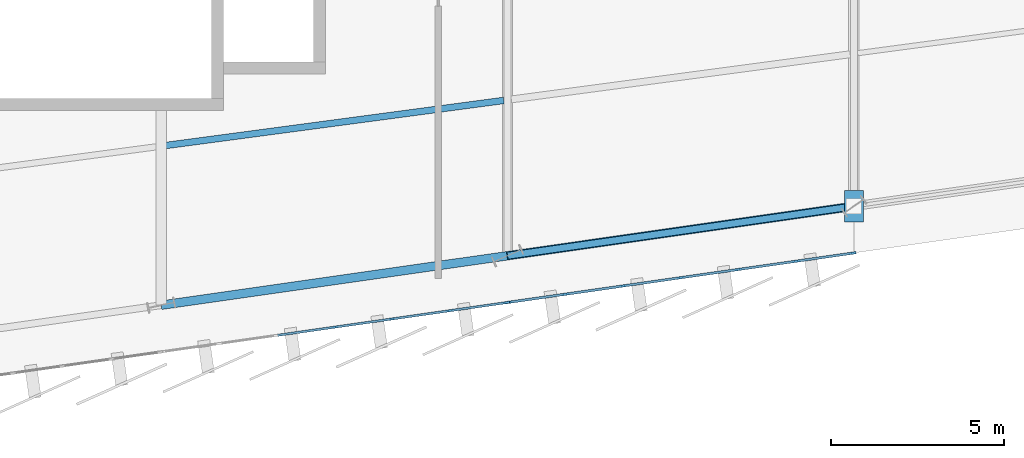
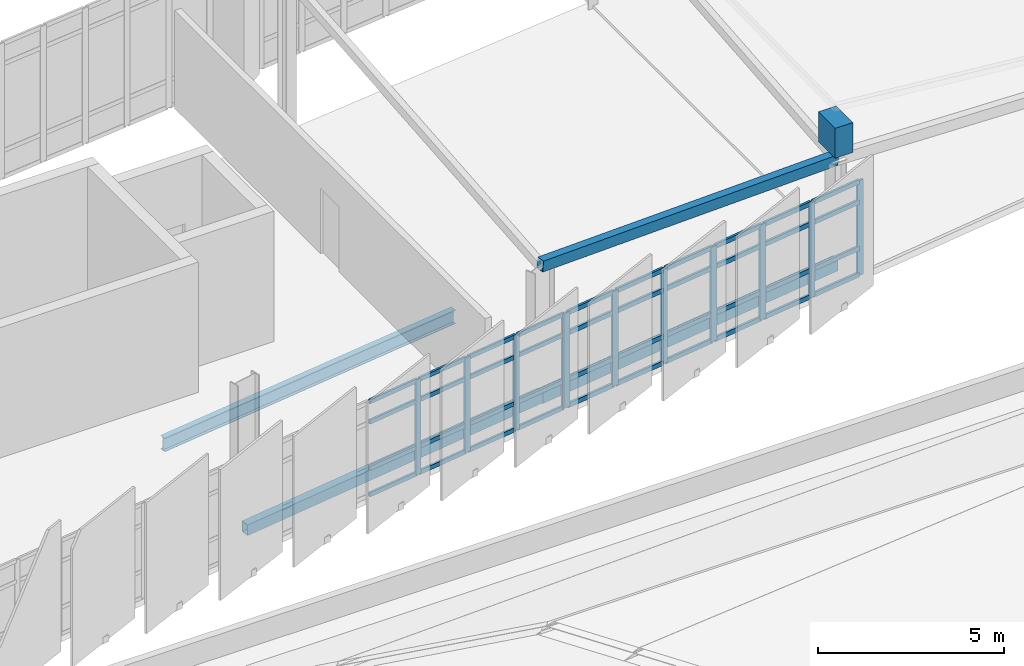
# One storey, part 22 of 67: 52 members, 4 beams, 2 elements without a shape of their own.
"""IFC4 building model written with IfcOpenShell, lengths in metres."""

from ifc_helpers import new_model, si_unit, direction, frame, origin, origin_2d, place, context, subcontext, project, spatial, rectangle, hollow_rectangle, i_section, extrude, material, layer, layer_set, material_profile, profile_set, type_object, element, aggregate, save


model = new_model("IFC4")

# Units and contexts
model_context = context("Model", 3, precision=1e-05, world=origin(), true_north=direction((0.0, 1.0)))
body_context = subcontext(model_context, "Body", "Model", "MODEL_VIEW")
ifc_project = project(units=[si_unit("LENGTHUNIT", "METRE"), si_unit("AREAUNIT", "SQUARE_METRE"), si_unit("VOLUMEUNIT", "CUBIC_METRE"), si_unit("PLANEANGLEUNIT", "RADIAN"), si_unit("MASSUNIT", "GRAM", prefix="KILO")], contexts=[model_context])

# Site, building, storey
site_placement = place(None, origin())
site = spatial("IfcSite", under=ifc_project, at=site_placement, CompositionType="ELEMENT")
building_placement = place(site_placement, origin())
building = spatial("IfcBuilding", under=site, at=building_placement, Name="Sohan Crest Arena", CompositionType="ELEMENT")
storey_placement = place(building_placement, frame((0.0, 0.0, 22.5)))
storey = spatial("IfcBuildingStorey", under=building, at=storey_placement, Name="L05", CompositionType="ELEMENT", Elevation=22.5)

# Curtain wall, members
ifc_material_1 = material(Name="Thermally broken anodised aluminium", Category="aluminium")
ifc_layer_1 = layer(ifc_material_1, 0.199951171875, Name="Thermally broken anodised aluminium")
ifc_layer_set_1 = layer_set([ifc_layer_1], Name="Thermally broken anodised aluminium")
curtain_wall_type_1 = type_object("IfcCurtainWallType", Name="ARC-CW02", PredefinedType="NOTDEFINED", material=ifc_layer_set_1)
curtain_wall_1_placement = place(storey_placement, origin())
curtain_wall_1 = element("IfcCurtainWall", 1, at=curtain_wall_1_placement, inside=storey, type_object=curtain_wall_type_1, Name="Unitised curtain wall CW-159", PredefinedType="NOTDEFINED")
ifc_material_profile_1 = material_profile(ifc_material_1, rectangle(XDim=0.06494140625, YDim=0.179931640625, at=origin_2d()), Name="ALU-MULL 65x180")
ifc_profile_set_1 = profile_set([ifc_material_profile_1], Name="Thermally broken anodised aluminium")
member_type_1 = type_object("IfcMemberType", Name="ARC-CW-ML02", PredefinedType="MULLION", material=ifc_profile_set_1)
member_1_placement = place(storey_placement, frame((113.0, 30.79296875, 0.0), z_axis=(0.0, 0.0, 1.0), x_axis=(-0.141365918403, 0.989957411768, 0.0)))
member_1 = element("IfcMember", 2, at=member_1_placement, type_object=member_type_1, Name="CW-159 mullion 4", PredefinedType="MULLION", context=body_context, shape_type="SweptSolid", body=[
    extrude(rectangle(XDim=0.06494140625, YDim=0.179931640625, at=origin_2d()), origin(), (0.0, 0.0, 1.0), 3.1201171875),
])
member_2_placement = place(storey_placement, frame((114.666748046875, 31.031005859375, 0.0), z_axis=(0.0, 0.0, 1.0), x_axis=(-0.141365918403, 0.989957411768, 0.0)))
member_2 = element("IfcMember", 3, at=member_2_placement, type_object=member_type_1, Name="CW-159 mullion 5", PredefinedType="MULLION", context=body_context, shape_type="SweptSolid", body=[
    extrude(rectangle(XDim=0.06494140625, YDim=0.179931640625, at=origin_2d()), origin(), (0.0, 0.0, 1.0), 3.1201171875),
])
member_3_placement = place(storey_placement, frame((116.333251953125, 31.26904296875, 0.0), z_axis=(0.0, 0.0, 1.0), x_axis=(-0.141365918403, 0.989957411768, 0.0)))
member_3 = element("IfcMember", 4, at=member_3_placement, type_object=member_type_1, Name="CW-159 mullion 6", PredefinedType="MULLION", context=body_context, shape_type="SweptSolid", body=[
    extrude(rectangle(XDim=0.06494140625, YDim=0.179931640625, at=origin_2d()), origin(), (0.0, 0.0, 1.0), 3.1201171875),
])
member_4_placement = place(storey_placement, frame((117.9677734375, 31.50244140625, 0.0), z_axis=(0.0, 0.0, 1.0), x_axis=(-0.141365918403, 0.989957411768, 0.0)))
member_4 = element("IfcMember", 5, at=member_4_placement, type_object=member_type_1, Name="CW-159 mullion 7", PredefinedType="MULLION", context=body_context, shape_type="SweptSolid", body=[
    extrude(rectangle(XDim=0.06494140625, YDim=0.179931640625, at=origin_2d()), origin(), (0.0, 0.0, 1.0), 3.1201171875),
])

ifc_layer_2 = layer(ifc_material_1, 0.219970703125, Name="Thermally broken anodised aluminium")
ifc_layer_set_2 = layer_set([ifc_layer_2], Name="Thermally broken anodised aluminium")
curtain_wall_type_2 = type_object("IfcCurtainWallType", Name="ARC-CW03", PredefinedType="NOTDEFINED", material=ifc_layer_set_2)
curtain_wall_2_placement = place(storey_placement, origin())
curtain_wall_2 = element("IfcCurtainWall", 6, at=curtain_wall_2_placement, inside=storey, type_object=curtain_wall_type_2, Name="Unitised curtain wall CW-160", PredefinedType="NOTDEFINED")
ifc_material_profile_2 = material_profile(ifc_material_1, rectangle(XDim=0.070068359375, YDim=0.199951171875, at=origin_2d()), Name="ALU-MULL 70x200")
ifc_profile_set_2 = profile_set([ifc_material_profile_2], Name="Thermally broken anodised aluminium")
member_type_2 = type_object("IfcMemberType", Name="ARC-CW-ML03", PredefinedType="MULLION", material=ifc_profile_set_2)
member_5_placement = place(storey_placement, frame((118.03466796875, 31.511962890625, 0.0), z_axis=(0.0, 0.0, 1.0), x_axis=(-0.141462933734, 0.989943553128, 0.0)))
member_5 = element("IfcMember", 7, at=member_5_placement, type_object=member_type_2, Name="CW-160 mullion 1", PredefinedType="MULLION", context=body_context, shape_type="SweptSolid", body=[
    extrude(rectangle(XDim=0.070068359375, YDim=0.199951171875, at=origin_2d()), origin(), (0.0, 0.0, 1.0), 3.1201171875),
])
member_6_placement = place(storey_placement, frame((119.666748046875, 31.7451171875, 0.0), z_axis=(0.0, 0.0, 1.0), x_axis=(-0.141462933734, 0.989943553128, 0.0)))
member_6 = element("IfcMember", 8, at=member_6_placement, type_object=member_type_2, Name="CW-160 mullion 2", PredefinedType="MULLION", context=body_context, shape_type="SweptSolid", body=[
    extrude(rectangle(XDim=0.070068359375, YDim=0.199951171875, at=origin_2d()), origin(), (0.0, 0.0, 1.0), 3.1201171875),
])
member_7_placement = place(storey_placement, frame((121.333251953125, 31.9833984375, 0.0), z_axis=(0.0, 0.0, 1.0), x_axis=(-0.141462933734, 0.989943553128, 0.0)))
member_7 = element("IfcMember", 9, at=member_7_placement, type_object=member_type_2, Name="CW-160 mullion 3", PredefinedType="MULLION", context=body_context, shape_type="SweptSolid", body=[
    extrude(rectangle(XDim=0.070068359375, YDim=0.199951171875, at=origin_2d()), origin(), (0.0, 0.0, 1.0), 3.1201171875),
])
member_8_placement = place(storey_placement, frame((123.0, 32.221435546875, 0.0), z_axis=(0.0, 0.0, 1.0), x_axis=(-0.141462933734, 0.989943553128, 0.0)))
member_8 = element("IfcMember", 10, at=member_8_placement, type_object=member_type_2, Name="CW-160 mullion 4", PredefinedType="MULLION", context=body_context, shape_type="SweptSolid", body=[
    extrude(rectangle(XDim=0.070068359375, YDim=0.199951171875, at=origin_2d()), origin(), (0.0, 0.0, 1.0), 3.1201171875),
])
member_9_placement = place(storey_placement, frame((124.666748046875, 32.459716796875, 0.0), z_axis=(0.0, 0.0, 1.0), x_axis=(-0.141462933734, 0.989943553128, 0.0)))
member_9 = element("IfcMember", 11, at=member_9_placement, type_object=member_type_2, Name="CW-160 mullion 5", PredefinedType="MULLION", context=body_context, shape_type="SweptSolid", body=[
    extrude(rectangle(XDim=0.070068359375, YDim=0.199951171875, at=origin_2d()), origin(), (0.0, 0.0, 1.0), 3.1201171875),
])
member_10_placement = place(storey_placement, frame((126.333251953125, 32.69775390625, 0.0), z_axis=(0.0, 0.0, 1.0), x_axis=(-0.141462933734, 0.989943553128, 0.0)))
member_10 = element("IfcMember", 12, at=member_10_placement, type_object=member_type_2, Name="CW-160 mullion 6", PredefinedType="MULLION", context=body_context, shape_type="SweptSolid", body=[
    extrude(rectangle(XDim=0.070068359375, YDim=0.199951171875, at=origin_2d()), origin(), (0.0, 0.0, 1.0), 3.1201171875),
])
member_11_placement = place(storey_placement, frame((127.96533203125, 32.93115234375, 0.0), z_axis=(0.0, 0.0, 1.0), x_axis=(-0.141462933734, 0.989943553128, 0.0)))
member_11 = element("IfcMember", 13, at=member_11_placement, type_object=member_type_2, Name="CW-160 mullion 7", PredefinedType="MULLION", context=body_context, shape_type="SweptSolid", body=[
    extrude(rectangle(XDim=0.070068359375, YDim=0.199951171875, at=origin_2d()), origin(), (0.0, 0.0, 1.0), 3.1201171875),
])

# Member
ifc_material_profile_3 = material_profile(ifc_material_1, rectangle(XDim=0.06494140625, YDim=0.139892578125, at=origin_2d()), Name="ALU-TRAN 65x140")
ifc_profile_set_3 = profile_set([ifc_material_profile_3], Name="Thermally broken anodised aluminium")
member_type_3 = type_object("IfcMemberType", Name="ARC-CW-TR02", PredefinedType="USERDEFINED", material=ifc_profile_set_3)
member_12_placement = place(storey_placement, frame((111.365478515625, 30.5595703125, 0.032470703125), z_axis=(0.989961557241, 0.141336885439, 0.0), x_axis=(-0.141336885439, 0.989961557241, 0.0)))
member_12 = element("IfcMember", 14, at=member_12_placement, type_object=member_type_3, Name="CW-159 transom 3.1", ObjectType="TRANSOM", PredefinedType="USERDEFINED", context=body_context, shape_type="SweptSolid", body=[
    extrude(rectangle(XDim=0.06494140625, YDim=0.139892578125, at=origin_2d()), origin(), (0.0, 0.0, 1.0), 1.61865234375),
])

member_13_placement = place(storey_placement, frame((111.365478515625, 30.5595703125, 0.89990234375), z_axis=(0.989961557241, 0.141336885439, 0.0), x_axis=(-0.141336885439, 0.989961557241, 0.0)))
member_13 = element("IfcMember", 15, at=member_13_placement, type_object=member_type_3, Name="CW-159 transom 3.2", ObjectType="TRANSOM", PredefinedType="USERDEFINED", context=body_context, shape_type="SweptSolid", body=[
    extrude(rectangle(XDim=0.06494140625, YDim=0.139892578125, at=origin_2d()), origin(), (0.0, 0.0, 1.0), 1.61865234375),
])

member_14_placement = place(storey_placement, frame((111.365478515625, 30.5595703125, 2.419921875), z_axis=(0.989961557241, 0.141336885439, 0.0), x_axis=(-0.141336885439, 0.989961557241, 0.0)))
member_14 = element("IfcMember", 16, at=member_14_placement, type_object=member_type_3, Name="CW-159 transom 3.3", ObjectType="TRANSOM", PredefinedType="USERDEFINED", context=body_context, shape_type="SweptSolid", body=[
    extrude(rectangle(XDim=0.06494140625, YDim=0.139892578125, at=origin_2d()), origin(), (0.0, 0.0, 1.0), 1.61865234375),
])

member_15_placement = place(storey_placement, frame((111.365478515625, 30.5595703125, 3.08740234375), z_axis=(0.989961557241, 0.141336885439, 0.0), x_axis=(-0.141336885439, 0.989961557241, 0.0)))
member_15 = element("IfcMember", 17, at=member_15_placement, type_object=member_type_3, Name="CW-159 transom 3.4", ObjectType="TRANSOM", PredefinedType="USERDEFINED", context=body_context, shape_type="SweptSolid", body=[
    extrude(rectangle(XDim=0.06494140625, YDim=0.139892578125, at=origin_2d()), origin(), (0.0, 0.0, 1.0), 1.61865234375),
])

member_16_placement = place(storey_placement, frame((113.0322265625, 30.797607421875, 0.032470703125), z_axis=(0.989961557241, 0.141336885439, 0.0), x_axis=(-0.141336885439, 0.989961557241, 0.0)))
member_16 = element("IfcMember", 18, at=member_16_placement, type_object=member_type_3, Name="CW-159 transom 4.1", ObjectType="TRANSOM", PredefinedType="USERDEFINED", context=body_context, shape_type="SweptSolid", body=[
    extrude(rectangle(XDim=0.06494140625, YDim=0.139892578125, at=origin_2d()), origin(), (0.0, 0.0, 1.0), 1.61865234375),
])

member_17_placement = place(storey_placement, frame((113.0322265625, 30.797607421875, 0.89990234375), z_axis=(0.989961557241, 0.141336885439, 0.0), x_axis=(-0.141336885439, 0.989961557241, 0.0)))
member_17 = element("IfcMember", 19, at=member_17_placement, type_object=member_type_3, Name="CW-159 transom 4.2", ObjectType="TRANSOM", PredefinedType="USERDEFINED", context=body_context, shape_type="SweptSolid", body=[
    extrude(rectangle(XDim=0.06494140625, YDim=0.139892578125, at=origin_2d()), origin(), (0.0, 0.0, 1.0), 1.61865234375),
])

member_18_placement = place(storey_placement, frame((113.0322265625, 30.797607421875, 2.419921875), z_axis=(0.989961557241, 0.141336885439, 0.0), x_axis=(-0.141336885439, 0.989961557241, 0.0)))
member_18 = element("IfcMember", 20, at=member_18_placement, type_object=member_type_3, Name="CW-159 transom 4.3", ObjectType="TRANSOM", PredefinedType="USERDEFINED", context=body_context, shape_type="SweptSolid", body=[
    extrude(rectangle(XDim=0.06494140625, YDim=0.139892578125, at=origin_2d()), origin(), (0.0, 0.0, 1.0), 1.61865234375),
])

member_19_placement = place(storey_placement, frame((113.0322265625, 30.797607421875, 3.08740234375), z_axis=(0.989961557241, 0.141336885439, 0.0), x_axis=(-0.141336885439, 0.989961557241, 0.0)))
member_19 = element("IfcMember", 21, at=member_19_placement, type_object=member_type_3, Name="CW-159 transom 4.4", ObjectType="TRANSOM", PredefinedType="USERDEFINED", context=body_context, shape_type="SweptSolid", body=[
    extrude(rectangle(XDim=0.06494140625, YDim=0.139892578125, at=origin_2d()), origin(), (0.0, 0.0, 1.0), 1.61865234375),
])

member_20_placement = place(storey_placement, frame((114.69873046875, 31.03564453125, 0.032470703125), z_axis=(0.989964569759, 0.141315783343, 0.0), x_axis=(-0.141315783343, 0.989964569759, 0.0)))
member_20 = element("IfcMember", 22, at=member_20_placement, type_object=member_type_3, Name="CW-159 transom 5.1", ObjectType="TRANSOM", PredefinedType="USERDEFINED", context=body_context, shape_type="SweptSolid", body=[
    extrude(rectangle(XDim=0.06494140625, YDim=0.139892578125, at=origin_2d()), origin(), (0.0, 0.0, 1.0), 1.618896484375),
])

member_21_placement = place(storey_placement, frame((114.69873046875, 31.03564453125, 0.89990234375), z_axis=(0.989964569759, 0.141315783343, 0.0), x_axis=(-0.141315783343, 0.989964569759, 0.0)))
member_21 = element("IfcMember", 23, at=member_21_placement, type_object=member_type_3, Name="CW-159 transom 5.2", ObjectType="TRANSOM", PredefinedType="USERDEFINED", context=body_context, shape_type="SweptSolid", body=[
    extrude(rectangle(XDim=0.06494140625, YDim=0.139892578125, at=origin_2d()), origin(), (0.0, 0.0, 1.0), 1.618896484375),
])

member_22_placement = place(storey_placement, frame((114.69873046875, 31.03564453125, 2.419921875), z_axis=(0.989964569759, 0.141315783343, 0.0), x_axis=(-0.141315783343, 0.989964569759, 0.0)))
member_22 = element("IfcMember", 24, at=member_22_placement, type_object=member_type_3, Name="CW-159 transom 5.3", ObjectType="TRANSOM", PredefinedType="USERDEFINED", context=body_context, shape_type="SweptSolid", body=[
    extrude(rectangle(XDim=0.06494140625, YDim=0.139892578125, at=origin_2d()), origin(), (0.0, 0.0, 1.0), 1.618896484375),
])

member_23_placement = place(storey_placement, frame((114.69873046875, 31.03564453125, 3.08740234375), z_axis=(0.989964569759, 0.141315783343, 0.0), x_axis=(-0.141315783343, 0.989964569759, 0.0)))
member_23 = element("IfcMember", 25, at=member_23_placement, type_object=member_type_3, Name="CW-159 transom 5.4", ObjectType="TRANSOM", PredefinedType="USERDEFINED", context=body_context, shape_type="SweptSolid", body=[
    extrude(rectangle(XDim=0.06494140625, YDim=0.139892578125, at=origin_2d()), origin(), (0.0, 0.0, 1.0), 1.618896484375),
])

member_24_placement = place(storey_placement, frame((116.365478515625, 31.273681640625, 0.032470703125), z_axis=(0.989964881435, 0.141313599931, 0.0), x_axis=(-0.141313599931, 0.989964881435, 0.0)))
member_24 = element("IfcMember", 26, at=member_24_placement, type_object=member_type_3, Name="CW-159 transom 6.1", ObjectType="TRANSOM", PredefinedType="USERDEFINED", context=body_context, shape_type="SweptSolid", body=[
    extrude(rectangle(XDim=0.06494140625, YDim=0.139892578125, at=origin_2d()), origin(), (0.0, 0.0, 1.0), 1.5859375),
])

member_25_placement = place(storey_placement, frame((116.365478515625, 31.273681640625, 0.89990234375), z_axis=(0.989964881435, 0.141313599931, 0.0), x_axis=(-0.141313599931, 0.989964881435, 0.0)))
member_25 = element("IfcMember", 27, at=member_25_placement, type_object=member_type_3, Name="CW-159 transom 6.2", ObjectType="TRANSOM", PredefinedType="USERDEFINED", context=body_context, shape_type="SweptSolid", body=[
    extrude(rectangle(XDim=0.06494140625, YDim=0.139892578125, at=origin_2d()), origin(), (0.0, 0.0, 1.0), 1.5859375),
])

member_26_placement = place(storey_placement, frame((116.365478515625, 31.273681640625, 2.419921875), z_axis=(0.989964881435, 0.141313599931, 0.0), x_axis=(-0.141313599931, 0.989964881435, 0.0)))
member_26 = element("IfcMember", 28, at=member_26_placement, type_object=member_type_3, Name="CW-159 transom 6.3", ObjectType="TRANSOM", PredefinedType="USERDEFINED", context=body_context, shape_type="SweptSolid", body=[
    extrude(rectangle(XDim=0.06494140625, YDim=0.139892578125, at=origin_2d()), origin(), (0.0, 0.0, 1.0), 1.5859375),
])

member_27_placement = place(storey_placement, frame((116.365478515625, 31.273681640625, 3.08740234375), z_axis=(0.989964881435, 0.141313599931, 0.0), x_axis=(-0.141313599931, 0.989964881435, 0.0)))
member_27 = element("IfcMember", 29, at=member_27_placement, type_object=member_type_3, Name="CW-159 transom 6.4", ObjectType="TRANSOM", PredefinedType="USERDEFINED", context=body_context, shape_type="SweptSolid", body=[
    extrude(rectangle(XDim=0.06494140625, YDim=0.139892578125, at=origin_2d()), origin(), (0.0, 0.0, 1.0), 1.5859375),
])

aggregate(curtain_wall_1, [member_1, member_2, member_3, member_4, member_12, member_13, member_14, member_15, member_16, member_17, member_18, member_19, member_20, member_21, member_22, member_23, member_24, member_25, member_26, member_27])

ifc_material_profile_4 = material_profile(ifc_material_1, rectangle(XDim=0.070068359375, YDim=0.14990234375, at=origin_2d()), Name="ALU-TRAN 70x150")
ifc_profile_set_4 = profile_set([ifc_material_profile_4], Name="Thermally broken anodised aluminium")
member_type_4 = type_object("IfcMemberType", Name="ARC-CW-TR03", PredefinedType="USERDEFINED", material=ifc_profile_set_4)
member_28_placement = place(storey_placement, frame((118.0693359375, 31.516845703125, 0.034912109375), z_axis=(0.989937117592, 0.141507961662, 0.0), x_axis=(-0.141507961662, 0.989937117592, 0.0)))
member_28 = element("IfcMember", 30, at=member_28_placement, type_object=member_type_4, Name="CW-160 transom 1.1", ObjectType="TRANSOM", PredefinedType="USERDEFINED", context=body_context, shape_type="SweptSolid", body=[
    extrude(rectangle(XDim=0.070068359375, YDim=0.14990234375, at=origin_2d()), origin(), (0.0, 0.0, 1.0), 1.57861328125),
])

member_29_placement = place(storey_placement, frame((118.0693359375, 31.516845703125, 0.89990234375), z_axis=(0.989937117592, 0.141507961662, 0.0), x_axis=(-0.141507961662, 0.989937117592, 0.0)))
member_29 = element("IfcMember", 31, at=member_29_placement, type_object=member_type_4, Name="CW-160 transom 1.2", ObjectType="TRANSOM", PredefinedType="USERDEFINED", context=body_context, shape_type="SweptSolid", body=[
    extrude(rectangle(XDim=0.070068359375, YDim=0.14990234375, at=origin_2d()), origin(), (0.0, 0.0, 1.0), 1.57861328125),
])

member_30_placement = place(storey_placement, frame((118.0693359375, 31.516845703125, 2.419921875), z_axis=(0.989937117592, 0.141507961662, 0.0), x_axis=(-0.141507961662, 0.989937117592, 0.0)))
member_30 = element("IfcMember", 32, at=member_30_placement, type_object=member_type_4, Name="CW-160 transom 1.3", ObjectType="TRANSOM", PredefinedType="USERDEFINED", context=body_context, shape_type="SweptSolid", body=[
    extrude(rectangle(XDim=0.070068359375, YDim=0.14990234375, at=origin_2d()), origin(), (0.0, 0.0, 1.0), 1.57861328125),
])

member_31_placement = place(storey_placement, frame((118.0693359375, 31.516845703125, 3.0849609375), z_axis=(0.989937117592, 0.141507961662, 0.0), x_axis=(-0.141507961662, 0.989937117592, 0.0)))
member_31 = element("IfcMember", 33, at=member_31_placement, type_object=member_type_4, Name="CW-160 transom 1.4", ObjectType="TRANSOM", PredefinedType="USERDEFINED", context=body_context, shape_type="SweptSolid", body=[
    extrude(rectangle(XDim=0.070068359375, YDim=0.14990234375, at=origin_2d()), origin(), (0.0, 0.0, 1.0), 1.57861328125),
])

member_32_placement = place(storey_placement, frame((119.701416015625, 31.75, 0.034912109375), z_axis=(0.989940412375, 0.141484910665, 0.0), x_axis=(-0.141484910665, 0.989940412375, 0.0)))
member_32 = element("IfcMember", 34, at=member_32_placement, type_object=member_type_4, Name="CW-160 transom 2.1", ObjectType="TRANSOM", PredefinedType="USERDEFINED", context=body_context, shape_type="SweptSolid", body=[
    extrude(rectangle(XDim=0.070068359375, YDim=0.14990234375, at=origin_2d()), origin(), (0.0, 0.0, 1.0), 1.61328125),
])

member_33_placement = place(storey_placement, frame((119.701416015625, 31.75, 0.89990234375), z_axis=(0.989940412375, 0.141484910665, 0.0), x_axis=(-0.141484910665, 0.989940412375, 0.0)))
member_33 = element("IfcMember", 35, at=member_33_placement, type_object=member_type_4, Name="CW-160 transom 2.2", ObjectType="TRANSOM", PredefinedType="USERDEFINED", context=body_context, shape_type="SweptSolid", body=[
    extrude(rectangle(XDim=0.070068359375, YDim=0.14990234375, at=origin_2d()), origin(), (0.0, 0.0, 1.0), 1.61328125),
])

member_34_placement = place(storey_placement, frame((119.701416015625, 31.75, 2.419921875), z_axis=(0.989940412375, 0.141484910665, 0.0), x_axis=(-0.141484910665, 0.989940412375, 0.0)))
member_34 = element("IfcMember", 36, at=member_34_placement, type_object=member_type_4, Name="CW-160 transom 2.3", ObjectType="TRANSOM", PredefinedType="USERDEFINED", context=body_context, shape_type="SweptSolid", body=[
    extrude(rectangle(XDim=0.070068359375, YDim=0.14990234375, at=origin_2d()), origin(), (0.0, 0.0, 1.0), 1.61328125),
])

member_35_placement = place(storey_placement, frame((119.701416015625, 31.75, 3.0849609375), z_axis=(0.989940412375, 0.141484910665, 0.0), x_axis=(-0.141484910665, 0.989940412375, 0.0)))
member_35 = element("IfcMember", 37, at=member_35_placement, type_object=member_type_4, Name="CW-160 transom 2.4", ObjectType="TRANSOM", PredefinedType="USERDEFINED", context=body_context, shape_type="SweptSolid", body=[
    extrude(rectangle(XDim=0.070068359375, YDim=0.14990234375, at=origin_2d()), origin(), (0.0, 0.0, 1.0), 1.61328125),
])

member_36_placement = place(storey_placement, frame((121.367919921875, 31.98828125, 0.034912109375), z_axis=(0.989943440831, 0.141463719575, 0.0), x_axis=(-0.141463719575, 0.989943440831, 0.0)))
member_36 = element("IfcMember", 38, at=member_36_placement, type_object=member_type_4, Name="CW-160 transom 3.1", ObjectType="TRANSOM", PredefinedType="USERDEFINED", context=body_context, shape_type="SweptSolid", body=[
    extrude(rectangle(XDim=0.070068359375, YDim=0.14990234375, at=origin_2d()), origin(), (0.0, 0.0, 1.0), 1.613525390625),
])

member_37_placement = place(storey_placement, frame((121.367919921875, 31.98828125, 0.89990234375), z_axis=(0.989943440831, 0.141463719575, 0.0), x_axis=(-0.141463719575, 0.989943440831, 0.0)))
member_37 = element("IfcMember", 39, at=member_37_placement, type_object=member_type_4, Name="CW-160 transom 3.2", ObjectType="TRANSOM", PredefinedType="USERDEFINED", context=body_context, shape_type="SweptSolid", body=[
    extrude(rectangle(XDim=0.070068359375, YDim=0.14990234375, at=origin_2d()), origin(), (0.0, 0.0, 1.0), 1.613525390625),
])

member_38_placement = place(storey_placement, frame((121.367919921875, 31.98828125, 2.419921875), z_axis=(0.989943440831, 0.141463719575, 0.0), x_axis=(-0.141463719575, 0.989943440831, 0.0)))
member_38 = element("IfcMember", 40, at=member_38_placement, type_object=member_type_4, Name="CW-160 transom 3.3", ObjectType="TRANSOM", PredefinedType="USERDEFINED", context=body_context, shape_type="SweptSolid", body=[
    extrude(rectangle(XDim=0.070068359375, YDim=0.14990234375, at=origin_2d()), origin(), (0.0, 0.0, 1.0), 1.613525390625),
])

member_39_placement = place(storey_placement, frame((121.367919921875, 31.98828125, 3.0849609375), z_axis=(0.989943440831, 0.141463719575, 0.0), x_axis=(-0.141463719575, 0.989943440831, 0.0)))
member_39 = element("IfcMember", 41, at=member_39_placement, type_object=member_type_4, Name="CW-160 transom 3.4", ObjectType="TRANSOM", PredefinedType="USERDEFINED", context=body_context, shape_type="SweptSolid", body=[
    extrude(rectangle(XDim=0.070068359375, YDim=0.14990234375, at=origin_2d()), origin(), (0.0, 0.0, 1.0), 1.613525390625),
])

member_40_placement = place(storey_placement, frame((123.03466796875, 32.2265625, 0.034912109375), z_axis=(0.989943440831, 0.141463719575, 0.0), x_axis=(-0.141463719575, 0.989943440831, 0.0)))
member_40 = element("IfcMember", 42, at=member_40_placement, type_object=member_type_4, Name="CW-160 transom 4.1", ObjectType="TRANSOM", PredefinedType="USERDEFINED", context=body_context, shape_type="SweptSolid", body=[
    extrude(rectangle(XDim=0.070068359375, YDim=0.14990234375, at=origin_2d()), origin(), (0.0, 0.0, 1.0), 1.613525390625),
])

member_41_placement = place(storey_placement, frame((123.03466796875, 32.2265625, 0.89990234375), z_axis=(0.989943440831, 0.141463719575, 0.0), x_axis=(-0.141463719575, 0.989943440831, 0.0)))
member_41 = element("IfcMember", 43, at=member_41_placement, type_object=member_type_4, Name="CW-160 transom 4.2", ObjectType="TRANSOM", PredefinedType="USERDEFINED", context=body_context, shape_type="SweptSolid", body=[
    extrude(rectangle(XDim=0.070068359375, YDim=0.14990234375, at=origin_2d()), origin(), (0.0, 0.0, 1.0), 1.613525390625),
])

member_42_placement = place(storey_placement, frame((123.03466796875, 32.2265625, 2.419921875), z_axis=(0.989943440831, 0.141463719575, 0.0), x_axis=(-0.141463719575, 0.989943440831, 0.0)))
member_42 = element("IfcMember", 44, at=member_42_placement, type_object=member_type_4, Name="CW-160 transom 4.3", ObjectType="TRANSOM", PredefinedType="USERDEFINED", context=body_context, shape_type="SweptSolid", body=[
    extrude(rectangle(XDim=0.070068359375, YDim=0.14990234375, at=origin_2d()), origin(), (0.0, 0.0, 1.0), 1.613525390625),
])

member_43_placement = place(storey_placement, frame((123.03466796875, 32.2265625, 3.0849609375), z_axis=(0.989943440831, 0.141463719575, 0.0), x_axis=(-0.141463719575, 0.989943440831, 0.0)))
member_43 = element("IfcMember", 45, at=member_43_placement, type_object=member_type_4, Name="CW-160 transom 4.4", ObjectType="TRANSOM", PredefinedType="USERDEFINED", context=body_context, shape_type="SweptSolid", body=[
    extrude(rectangle(XDim=0.070068359375, YDim=0.14990234375, at=origin_2d()), origin(), (0.0, 0.0, 1.0), 1.613525390625),
])

member_44_placement = place(storey_placement, frame((124.701416015625, 32.464599609375, 0.034912109375), z_axis=(0.989940412375, 0.141484910665, 0.0), x_axis=(-0.141484910665, 0.989940412375, 0.0)))
member_44 = element("IfcMember", 46, at=member_44_placement, type_object=member_type_4, Name="CW-160 transom 5.1", ObjectType="TRANSOM", PredefinedType="USERDEFINED", context=body_context, shape_type="SweptSolid", body=[
    extrude(rectangle(XDim=0.070068359375, YDim=0.14990234375, at=origin_2d()), origin(), (0.0, 0.0, 1.0), 1.61328125),
])

member_45_placement = place(storey_placement, frame((124.701416015625, 32.464599609375, 0.89990234375), z_axis=(0.989940412375, 0.141484910665, 0.0), x_axis=(-0.141484910665, 0.989940412375, 0.0)))
member_45 = element("IfcMember", 47, at=member_45_placement, type_object=member_type_4, Name="CW-160 transom 5.2", ObjectType="TRANSOM", PredefinedType="USERDEFINED", context=body_context, shape_type="SweptSolid", body=[
    extrude(rectangle(XDim=0.070068359375, YDim=0.14990234375, at=origin_2d()), origin(), (0.0, 0.0, 1.0), 1.61328125),
])

member_46_placement = place(storey_placement, frame((124.701416015625, 32.464599609375, 2.419921875), z_axis=(0.989940412375, 0.141484910665, 0.0), x_axis=(-0.141484910665, 0.989940412375, 0.0)))
member_46 = element("IfcMember", 48, at=member_46_placement, type_object=member_type_4, Name="CW-160 transom 5.3", ObjectType="TRANSOM", PredefinedType="USERDEFINED", context=body_context, shape_type="SweptSolid", body=[
    extrude(rectangle(XDim=0.070068359375, YDim=0.14990234375, at=origin_2d()), origin(), (0.0, 0.0, 1.0), 1.61328125),
])

member_47_placement = place(storey_placement, frame((124.701416015625, 32.464599609375, 3.0849609375), z_axis=(0.989940412375, 0.141484910665, 0.0), x_axis=(-0.141484910665, 0.989940412375, 0.0)))
member_47 = element("IfcMember", 49, at=member_47_placement, type_object=member_type_4, Name="CW-160 transom 5.4", ObjectType="TRANSOM", PredefinedType="USERDEFINED", context=body_context, shape_type="SweptSolid", body=[
    extrude(rectangle(XDim=0.070068359375, YDim=0.14990234375, at=origin_2d()), origin(), (0.0, 0.0, 1.0), 1.61328125),
])

member_48_placement = place(storey_placement, frame((126.367919921875, 32.702880859375, 0.034912109375), z_axis=(0.989958770944, 0.141356400038, 0.0), x_axis=(-0.141356400038, 0.989958770944, 0.0)))
member_48 = element("IfcMember", 50, at=member_48_placement, type_object=member_type_4, Name="CW-160 transom 6.1", ObjectType="TRANSOM", PredefinedType="USERDEFINED", context=body_context, shape_type="SweptSolid", body=[
    extrude(rectangle(XDim=0.070068359375, YDim=0.14990234375, at=origin_2d()), origin(), (0.0, 0.0, 1.0), 1.57861328125),
])

member_49_placement = place(storey_placement, frame((126.367919921875, 32.702880859375, 0.89990234375), z_axis=(0.989958770944, 0.141356400038, 0.0), x_axis=(-0.141356400038, 0.989958770944, 0.0)))
member_49 = element("IfcMember", 51, at=member_49_placement, type_object=member_type_4, Name="CW-160 transom 6.2", ObjectType="TRANSOM", PredefinedType="USERDEFINED", context=body_context, shape_type="SweptSolid", body=[
    extrude(rectangle(XDim=0.070068359375, YDim=0.14990234375, at=origin_2d()), origin(), (0.0, 0.0, 1.0), 1.57861328125),
])

member_50_placement = place(storey_placement, frame((126.367919921875, 32.702880859375, 2.419921875), z_axis=(0.989958770944, 0.141356400038, 0.0), x_axis=(-0.141356400038, 0.989958770944, 0.0)))
member_50 = element("IfcMember", 52, at=member_50_placement, type_object=member_type_4, Name="CW-160 transom 6.3", ObjectType="TRANSOM", PredefinedType="USERDEFINED", context=body_context, shape_type="SweptSolid", body=[
    extrude(rectangle(XDim=0.070068359375, YDim=0.14990234375, at=origin_2d()), origin(), (0.0, 0.0, 1.0), 1.57861328125),
])

member_51_placement = place(storey_placement, frame((126.367919921875, 32.702880859375, 3.0849609375), z_axis=(0.989958770944, 0.141356400038, 0.0), x_axis=(-0.141356400038, 0.989958770944, 0.0)))
member_51 = element("IfcMember", 53, at=member_51_placement, type_object=member_type_4, Name="CW-160 transom 6.4", ObjectType="TRANSOM", PredefinedType="USERDEFINED", context=body_context, shape_type="SweptSolid", body=[
    extrude(rectangle(XDim=0.070068359375, YDim=0.14990234375, at=origin_2d()), origin(), (0.0, 0.0, 1.0), 1.57861328125),
])

aggregate(curtain_wall_2, [member_5, member_6, member_7, member_8, member_9, member_10, member_11, member_28, member_29, member_30, member_31, member_32, member_33, member_34, member_35, member_36, member_37, member_38, member_39, member_40, member_41, member_42, member_43, member_44, member_45, member_46, member_47, member_48, member_49, member_50, member_51])

# Beams
ifc_material_2 = material(Name="Steel S355", Category="steel")
ifc_material_profile_5 = material_profile(ifc_material_2, i_section(OverallWidth=0.18994140625, OverallDepth=0.449951171875, WebThickness=0.009521484375, FlangeThickness=0.0146484375, at=origin_2d()), Name="IPE 450")
ifc_profile_set_5 = profile_set([ifc_material_profile_5], Name="Steel S355")
beam_type_1 = type_object("IfcBeamType", Name="STR-BM-B04", PredefinedType="JOIST", material=ifc_profile_set_5)
beam_1_placement = place(storey_placement, frame((108.10888671875, 36.035888671875, -0.47509765625), z_axis=(0.991229196985, 0.132153997462, 0.0), x_axis=(-0.132153997462, 0.991229196985, 0.0)))
element("IfcBeam", 54, at=beam_1_placement, inside=storey, type_object=beam_type_1, Name="Structural beam J-L05-1765", PredefinedType="JOIST", context=body_context, shape_type="SweptSolid", body=[
    extrude(i_section(OverallWidth=0.18994140625, OverallDepth=0.449951171875, WebThickness=0.009521484375, FlangeThickness=0.0146484375, at=origin_2d()), origin(), (0.0, 0.0, 1.0), 9.868896484375),
])
ifc_material_3 = material(Name="Precast concrete C50/60", Category="concrete")
ifc_material_profile_6 = material_profile(ifc_material_3, rectangle(XDim=0.550048828125, YDim=0.89990234375, at=origin_2d()), Name="RAKER 550x900")
ifc_profile_set_6 = profile_set([ifc_material_profile_6], Name="Precast concrete C50/60")
beam_type_2 = type_object("IfcBeamType", Name="STR-BM-RK01", PredefinedType="USERDEFINED", material=ifc_profile_set_6)
beam_2_placement = place(storey_placement, frame((128.0, 34.285888671875, 3.35693359375), z_axis=(0.0, 0.0, 1.0), x_axis=(1.0, 0.0, 0.0)))
element("IfcBeam", 55, at=beam_2_placement, inside=storey, type_object=beam_type_2, Name="Perimeter cantilever nose bracket RKC-16", ObjectType="RAKER", PredefinedType="USERDEFINED", context=body_context, shape_type="SweptSolid", body=[
    extrude(rectangle(XDim=0.550048828125, YDim=0.89990234375, at=origin_2d()), origin(), (0.0, 0.0, 1.0), 0.983154296875),
])
ifc_material_profile_7 = material_profile(ifc_material_2, hollow_rectangle(XDim=0.25, YDim=0.35009765625, WallThickness=0.012451171875, at=origin_2d()), Name="RHS 350x250x12.5")
ifc_profile_set_7 = profile_set([ifc_material_profile_7], Name="Steel S355")
beam_type_3 = type_object("IfcBeamType", Name="STR-BM-SP04", PredefinedType="SPANDREL", material=ifc_profile_set_7)
beam_3_placement = place(storey_placement, frame((108.0, 31.428955078125, -0.425048828125), z_axis=(0.989957709412, 0.141363834042, 0.0), x_axis=(-0.141363834042, 0.989957709412, 0.0)))
element("IfcBeam", 56, at=beam_3_placement, inside=storey, type_object=beam_type_3, Name="Structural beam SP-L05-1764", PredefinedType="SPANDREL", context=body_context, shape_type="SweptSolid", body=[
    extrude(hollow_rectangle(XDim=0.25, YDim=0.35009765625, WallThickness=0.012451171875, at=origin_2d()), origin(), (0.0, 0.0, 1.0), 10.1015625),
])
ifc_material_profile_8 = material_profile(ifc_material_2, hollow_rectangle(XDim=0.199951171875, YDim=0.39990234375, WallThickness=0.012451171875, at=origin_2d()), Name="RHS 400x200x12.5")
ifc_profile_set_8 = profile_set([ifc_material_profile_8], Name="Steel S355")
beam_type_4 = type_object("IfcBeamType", Name="STR-BM-SP05", PredefinedType="SPANDREL", material=ifc_profile_set_8)
beam_4_placement = place(storey_placement, frame((118.0, 32.85693359375, -0.449951171875), z_axis=(0.989944175879, 0.141458575718, 0.0), x_axis=(-0.141458575718, 0.989944175879, 0.0)))
element("IfcBeam", 57, at=beam_4_placement, inside=storey, type_object=beam_type_4, Name="Structural beam SP-L05-1768", PredefinedType="SPANDREL", context=body_context, shape_type="SweptSolid", body=[
    extrude(hollow_rectangle(XDim=0.199951171875, YDim=0.39990234375, WallThickness=0.012451171875, at=origin_2d()), origin(), (0.0, 0.0, 1.0), 10.1015625),
])

# Member
ifc_material_profile_9 = material_profile(ifc_material_2, hollow_rectangle(XDim=0.25, YDim=0.35009765625, WallThickness=0.012451171875, at=origin_2d()), Name="RHS 350x250x12.5")
ifc_profile_set_9 = profile_set([ifc_material_profile_9], Name="Steel S355")
member_type_5 = type_object("IfcMemberType", Name="STR-MEM-CH04", PredefinedType="CHORD", material=ifc_profile_set_9)
member_52_placement = place(storey_placement, frame((118.0, 32.85693359375, 3.866943359375), z_axis=(0.986377130345, 0.140948860935, -0.084814947585), x_axis=(-0.141458575718, 0.989944175879, 0.0)))
element("IfcMember", 58, at=member_52_placement, inside=storey, type_object=member_type_5, Name="Outer roof-edge truss chord ORB-15", PredefinedType="CHORD", context=body_context, shape_type="SweptSolid", body=[
    extrude(hollow_rectangle(XDim=0.25, YDim=0.35009765625, WallThickness=0.012451171875, at=origin_2d()), origin(), (0.0, 0.0, 1.0), 10.13818359375),
])

save(model, "model.ifc")
